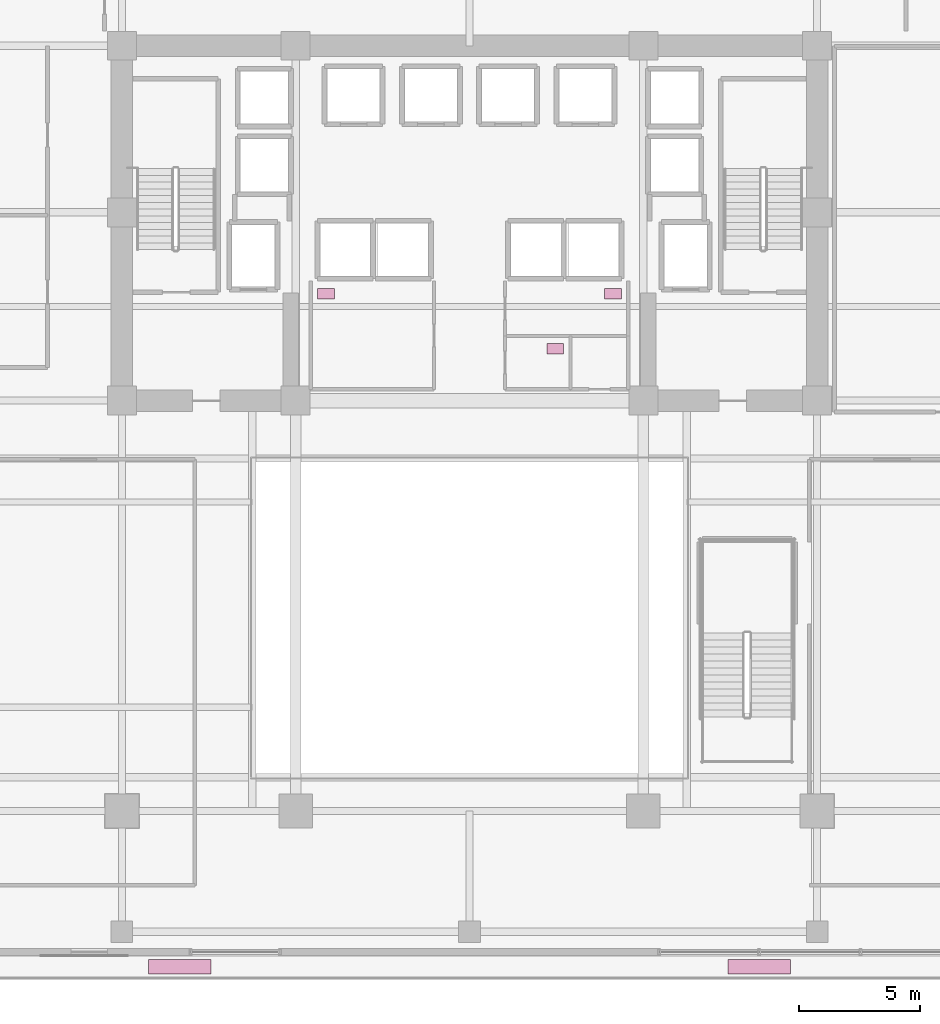
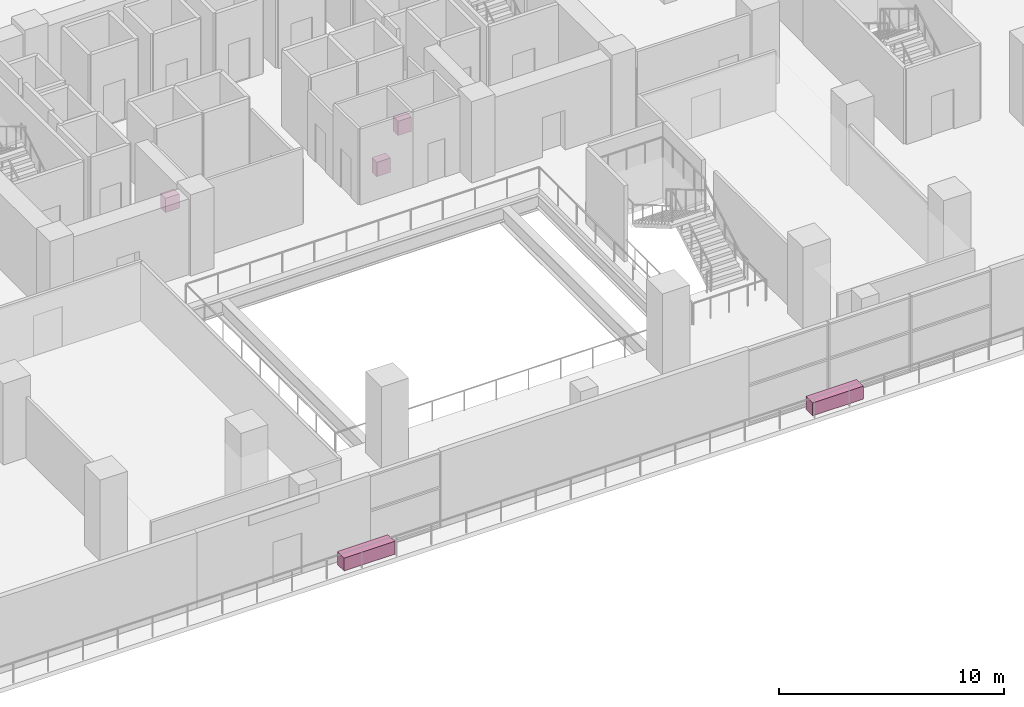
# One storey, part 22 of 22: 5 furnishings.
"""IFC4 building model written with IfcOpenShell, lengths in metres."""

from ifc_helpers import new_model, si_unit, direction, frame, origin, origin_2d, place, context, subcontext, project, spatial, rectangle, extrude, source, transform, mapped, material, type_object, element, save


model = new_model("IFC4")

# Units and contexts
model_context = context("Model", 3, precision=1e-05, world=origin(), true_north=direction((0.0, 1.0)))
body_context = subcontext(model_context, "Body", "Model", "MODEL_VIEW")
ifc_project = project(units=[si_unit("LENGTHUNIT", "METRE"), si_unit("AREAUNIT", "SQUARE_METRE"), si_unit("VOLUMEUNIT", "CUBIC_METRE"), si_unit("PLANEANGLEUNIT", "RADIAN"), si_unit("MASSUNIT", "GRAM", prefix="KILO")], contexts=[model_context])

# Site, building, storey
site_placement = place(None, origin())
site = spatial("IfcSite", under=ifc_project, at=site_placement, CompositionType="ELEMENT")
building_placement = place(site_placement, origin())
building = spatial("IfcBuilding", under=site, at=building_placement, Name="Zarnakvel Exchange Tower", CompositionType="ELEMENT")
storey_placement = place(building_placement, frame((0.0, 0.0, 9.39990234375)))
storey = spatial("IfcBuildingStorey", under=building, at=storey_placement, Name="L02", CompositionType="ELEMENT", Elevation=9.39990234375)

# Furnishings
ifc_material_1 = material(Name="Architectural Bronze Anodised Aluminium", Category="aluminium")
furnishing_element_type_1 = type_object("IfcFurnishingElementType", Name="PLNT-02", material=ifc_material_1)
shared_shape_1 = source(origin(), body_context, "Body", "SweptSolid", [
    extrude(rectangle(XDim=2.60009765625, YDim=0.60009765625, at=origin_2d()), origin(), (0.0, 0.0, 1.0), 0.699951171875),
])
for number, where, z_axis, x_axis, name in (
    (1, (-12.0, -24.64990234375, 0.0), (0.0, 0.0, 1.0), (1.0, 0.0, 0.0), "L02 Podium Terrace Planter #1"),
    (2, (12.0, -24.64990234375, 0.0), (0.0, 0.0, 1.0), (1.0, 0.0, 0.0), "L02 Podium Terrace Planter #2"),
):
    element("IfcFurnishingElement", number, at=place(storey_placement, frame(where, z_axis=z_axis, x_axis=x_axis)), inside=storey, type_object=furnishing_element_type_1, Name=name, ObjectType="PLANTER", context=body_context, shape_type="MappedRepresentation", body=[
        mapped(shared_shape_1, transform((0.0, 0.0, 0.0), x_axis=(1.0, 0.0, 0.0), y_axis=(0.0, 1.0, 0.0), z_axis=(0.0, 0.0, 1.0), scale=1.0)),
    ])
ifc_material_2 = material(Name="Vitreous China Sanitaryware", Category="ceramic")
furnishing_element_type_2 = type_object("IfcFurnishingElementType", Name="SAN-WC", material=ifc_material_2)
shared_shape_2 = source(origin(), body_context, "Body", "SweptSolid", [
    extrude(rectangle(XDim=0.699951171875, YDim=0.449951171875, at=origin_2d()), origin(), (0.0, 0.0, 1.0), 0.780029296875),
])
for number, where, z_axis, x_axis, name in (
    (3, (-5.949951171875, 3.22998046875, 0.0), (0.0, 0.0, 1.0), (1.0, 0.0, 0.0), "L02 Sanitary Fixture (Male Toilet)"),
    (4, (5.949951171875, 3.22998046875, 0.0), (0.0, 0.0, 1.0), (1.0, 0.0, 0.0), "L02 Sanitary Fixture (Female Toilet)"),
    (5, (3.550048828125, 0.949951171875, 0.0), (0.0, 0.0, 1.0), (1.0, 0.0, 0.0), "L02 Sanitary Fixture (Accessible Toilet)"),
):
    element("IfcFurnishingElement", number, at=place(storey_placement, frame(where, z_axis=z_axis, x_axis=x_axis)), inside=storey, type_object=furnishing_element_type_2, Name=name, ObjectType="SANITARY_FIXTURE", context=body_context, shape_type="MappedRepresentation", body=[
        mapped(shared_shape_2, transform((0.0, 0.0, 0.0), x_axis=(1.0, 0.0, 0.0), y_axis=(0.0, 1.0, 0.0), z_axis=(0.0, 0.0, 1.0), scale=1.0)),
    ])

save(model, "model.ifc")
